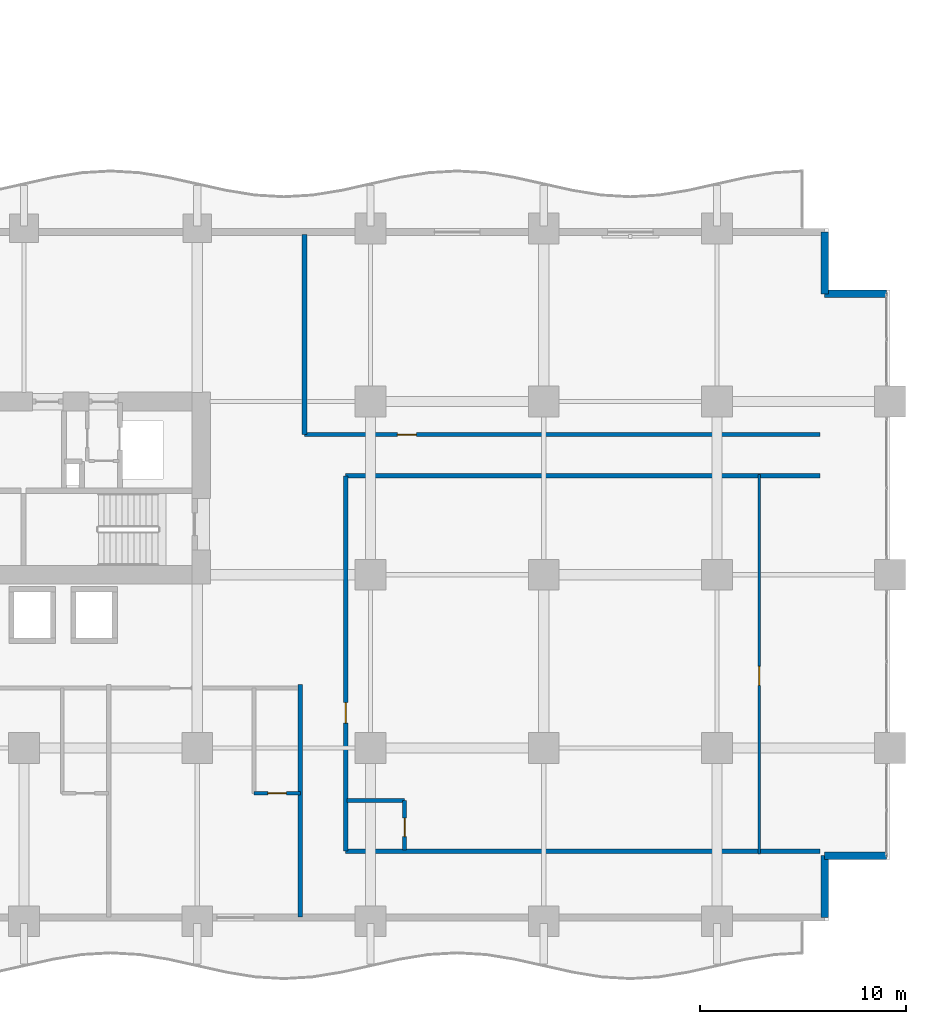
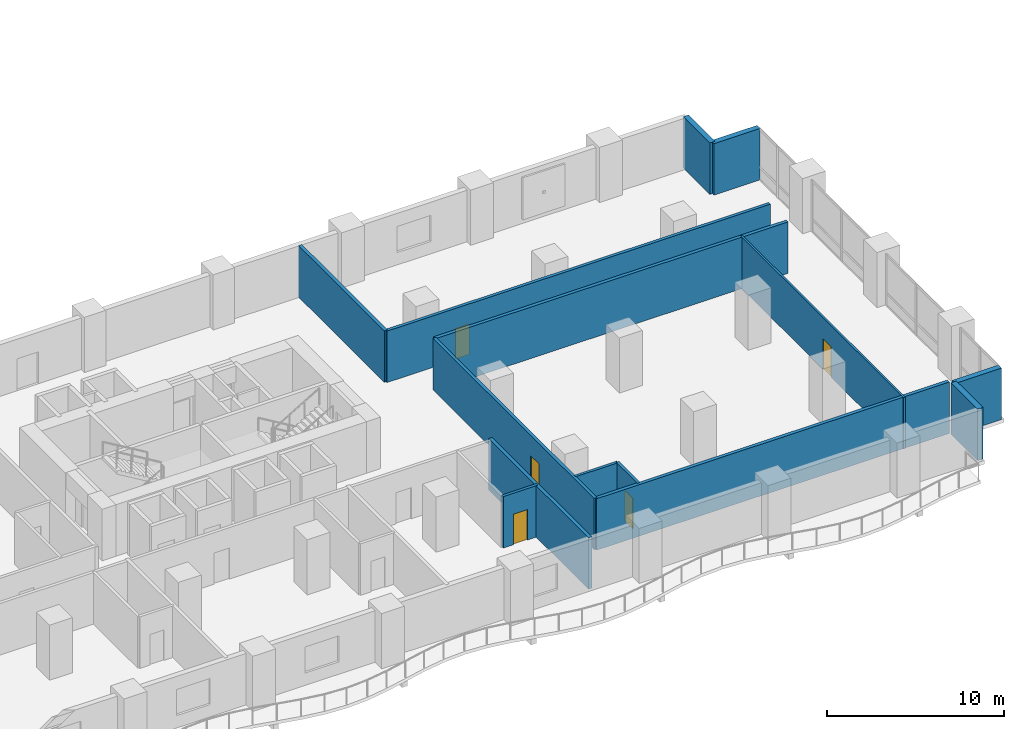
# One storey, part 18 of 27: 14 walls, 5 doors, 5 openings.
"""IFC4 building model written with IfcOpenShell, lengths in metres."""

from ifc_helpers import new_model, si_unit, direction, frame, frame_2d, origin, place, context, subcontext, project, spatial, rectangle, extrude, material, layer, layer_set, type_object, element, fill, save


model = new_model("IFC4")

# Units and contexts
model_context = context("Model", 3, precision=1e-05, world=origin(), true_north=direction((0.0, 1.0)))
body_context = subcontext(model_context, "Body", "Model", "MODEL_VIEW")
ifc_project = project(units=[si_unit("LENGTHUNIT", "METRE"), si_unit("AREAUNIT", "SQUARE_METRE"), si_unit("VOLUMEUNIT", "CUBIC_METRE"), si_unit("PLANEANGLEUNIT", "RADIAN"), si_unit("MASSUNIT", "GRAM", prefix="KILO")], contexts=[model_context])

# Site, building, storey
site_placement = place(None, origin())
site = spatial("IfcSite", under=ifc_project, at=site_placement, CompositionType="ELEMENT")
building_placement = place(site_placement, origin())
building = spatial("IfcBuilding", under=site, at=building_placement, Name="Koriwani Terraces Tower", CompositionType="ELEMENT")
storey_placement = place(building_placement, frame((0.0, 0.0, 70.0)))
storey = spatial("IfcBuildingStorey", under=building, at=storey_placement, Name="L16", CompositionType="ELEMENT", Elevation=70.0)

# Wall, opening, door
ifc_material_1 = material(Name="Autoclaved Cellular Concrete Blockwork", Category="masonry")
ifc_layer_1 = layer(ifc_material_1, 0.199951171875, Name="Autoclaved Cellular Concrete Blockwork")
ifc_layer_set_1 = layer_set([ifc_layer_1], Name="Autoclaved Cellular Concrete Blockwork")
wall_type_1 = type_object("IfcWallType", Name="WALL_CORRIDOR_200", PredefinedType="PARTITIONING", material=ifc_layer_set_1)
wall_1_placement = place(storey_placement, frame((66.0, 3.39990234375, 0.0), z_axis=(0.0, 0.0, 1.0), x_axis=(0.0, 1.0, 0.0)))
wall_1 = element("IfcWall", 1, at=wall_1_placement, inside=storey, type_object=wall_type_1, Name="L16 Interior Wall WGB-L16-ETIP-W", PredefinedType="PARTITIONING", context=body_context, shape_type="SweptSolid", body=[
    extrude(rectangle(XDim=18.2001953125, YDim=0.199951171875, at=frame_2d((9.10009765625, 0.0))), origin(), (0.0, 0.0, 1.0), 3.550048828125),
])
opening_1_placement = place(wall_1_placement, frame((6.199951171875, 0.0, 0.0)))
opening_1 = element("IfcOpeningElement", 2, at=opening_1_placement, cuts=wall_1, Name="Opening D-05", PredefinedType="OPENING", context=body_context, shape_type="SweptSolid", body=[
    extrude(rectangle(XDim=1.0, YDim=2.14990234375, at=frame_2d((0.5, 1.074951171875))), frame((0.0, 0.10986328125, 0.0), z_axis=(0.0, -1.0, 0.0), x_axis=(1.0, 0.0, 0.0)), (0.0, 0.0, 1.0), 0.219970703125),
])
ifc_material_2 = material(Name="Architectural Oak Fire Door", Category="wood")
door_type_1 = type_object("IfcDoorType", Name="DOOR_SUITE_ENTRY_1000X2150", OperationType="NOTDEFINED", PredefinedType="DOOR", material=ifc_material_2)
door_1_placement = place(opening_1_placement, origin())
door_1 = element("IfcDoor", 3, at=door_1_placement, inside=storey, type_object=door_type_1, Name="Ambassador Wing Suite 16E Entrance Door", OperationType="SINGLE_SWING_RIGHT", OverallHeight=2.14990234375, OverallWidth=1.0, PredefinedType="DOOR", context=body_context, shape_type="SweptSolid", body=[
    extrude(rectangle(XDim=1.0, YDim=2.14990234375, at=frame_2d((0.5, 1.074951171875))), frame((0.0, 0.02490234375, 0.0), z_axis=(0.0, -1.0, 0.0), x_axis=(1.0, 0.0, 0.0)), (0.0, 0.0, 1.0), 0.050048828125),
])
fill(opening_1, door_1)

wall_2_placement = place(storey_placement, frame((64.0, 23.60009765625, 0.0), z_axis=(0.0, 0.0, 1.0), x_axis=(1.0, 0.0, 0.0)))
wall_2 = element("IfcWall", 4, at=wall_2_placement, inside=storey, type_object=wall_type_1, Name="L16 Interior Wall WETIP2-S-L16", PredefinedType="PARTITIONING", context=body_context, shape_type="SweptSolid", body=[
    extrude(rectangle(XDim=25.0, YDim=0.199951171875, at=frame_2d((12.5, 0.0))), origin(), (0.0, 0.0, 1.0), 3.550048828125),
])
opening_2_placement = place(wall_2_placement, frame((4.5, 0.0, 0.0)))
opening_2 = element("IfcOpeningElement", 5, at=opening_2_placement, cuts=wall_2, Name="Opening D-06", PredefinedType="OPENING", context=body_context, shape_type="SweptSolid", body=[
    extrude(rectangle(XDim=0.919921875, YDim=2.10009765625, at=frame_2d((0.4599609375, 1.050048828125))), frame((0.0, 0.10986328125, 0.0), z_axis=(0.0, -1.0, 0.0), x_axis=(1.0, 0.0, 0.0)), (0.0, 0.0, 1.0), 0.219970703125),
])
door_type_2 = type_object("IfcDoorType", Name="DOOR_ROOM_INT_920X2100", OperationType="NOTDEFINED", PredefinedType="DOOR", material=ifc_material_2)
door_2_placement = place(opening_2_placement, origin())
door_2 = element("IfcDoor", 6, at=door_2_placement, inside=storey, type_object=door_type_2, Name="L16 East Panorama Salon Door", OperationType="SINGLE_SWING_LEFT", OverallHeight=2.10009765625, OverallWidth=0.919921875, PredefinedType="DOOR", context=body_context, shape_type="SweptSolid", body=[
    extrude(rectangle(XDim=0.919921875, YDim=2.10009765625, at=frame_2d((0.4599609375, 1.050048828125))), frame((0.0, 0.02490234375, 0.0), z_axis=(0.0, -1.0, 0.0), x_axis=(1.0, 0.0, 0.0)), (0.0, 0.0, 1.0), 0.050048828125),
])
fill(opening_2, door_2)

# Walls
ifc_layer_2 = layer(ifc_material_1, 0.219970703125, Name="Autoclaved Cellular Concrete Blockwork")
ifc_layer_set_2 = layer_set([ifc_layer_2], Name="Autoclaved Cellular Concrete Blockwork")
wall_type_2 = type_object("IfcWallType", Name="WALL_DEMISING_220", PredefinedType="PARTITIONING", material=ifc_layer_set_2)
wall_3_placement = place(storey_placement, frame((63.800048828125, 0.199951171875, 0.0), z_axis=(0.0, 0.0, 1.0), x_axis=(0.0, 1.0, 0.0)))
element("IfcWall", 7, at=wall_3_placement, inside=storey, type_object=wall_type_2, Name="L16 Interior Wall WDEME-L16-SW", PredefinedType="PARTITIONING", context=body_context, shape_type="SweptSolid", body=[
    extrude(rectangle(XDim=11.280029296875, YDim=0.219970703125, at=frame_2d((5.64013671875, 0.0))), origin(), (0.0, 0.0, 1.0), 3.550048828125),
])
for number, where, z_axis, x_axis, name in (
    (8, (66.0, 3.39990234375, 0.0), (0.0, 0.0, 1.0), (1.0, 0.0, 0.0), "L16 Interior Wall WGB-L16-ETIP-S"),
    (9, (66.0, 21.60009765625, 0.0), (0.0, 0.0, 1.0), (1.0, 0.0, 0.0), "L16 Interior Wall WGB-L16-ETIP-N"),
):
    element("IfcWall", number, at=place(storey_placement, frame(where, z_axis=z_axis, x_axis=x_axis)), inside=storey, type_object=wall_type_2, Name=name, PredefinedType="PARTITIONING", context=body_context, shape_type="SweptSolid", body=[
        extrude(rectangle(XDim=23.0, YDim=0.219970703125, at=frame_2d((11.5, 0.0))), origin(), (0.0, 0.0, 1.0), 3.550048828125),
    ])
wall_4_placement = place(storey_placement, frame((64.0, 23.60009765625, 0.0), z_axis=(0.0, 0.0, 1.0), x_axis=(0.0, 1.0, 0.0)))
element("IfcWall", 10, at=wall_4_placement, inside=storey, type_object=wall_type_2, Name="L16 Interior Wall WETIP2-W-L16", PredefinedType="PARTITIONING", context=body_context, shape_type="SweptSolid", body=[
    extrude(rectangle(XDim=9.699951171875, YDim=0.219970703125, at=frame_2d((4.85009765625, 0.0))), origin(), (0.0, 0.0, 1.0), 3.550048828125),
])
ifc_material_3 = material(Name="Concrete C50/60", Category="concrete")
ifc_layer_3 = layer(ifc_material_3, 0.35009765625, Name="Concrete C50/60")
ifc_layer_set_3 = layer_set([ifc_layer_3], Name="Concrete C50/60")
wall_type_3 = type_object("IfcWallType", Name="WALL_EXT_BRUTALIST_350", PredefinedType="STANDARD", material=ifc_layer_set_3)
for number, where, z_axis, x_axis, name in (
    (11, (89.22509765625, 33.425048828125, 0.0), (0.0, 0.0, 1.0), (0.0, -1.0, 0.0), "L16 Fair-Faced Brutalist Exterior Wall (N10)"),
    (12, (89.22509765625, 30.425048828125, 0.0), (0.0, 0.0, 1.0), (1.0, 0.0, 0.0), "L16 Fair-Faced Brutalist Exterior Wall (N11)"),
    (13, (92.22509765625, 3.175048828125, 0.0), (0.0, 0.0, 1.0), (-1.0, 0.0, 0.0), "L16 Fair-Faced Brutalist Exterior Wall (N13)"),
    (14, (89.22509765625, 3.175048828125, 0.0), (0.0, 0.0, 1.0), (0.0, -1.0, 0.0), "L16 Fair-Faced Brutalist Exterior Wall (N14)"),
):
    element("IfcWall", number, at=place(storey_placement, frame(where, z_axis=z_axis, x_axis=x_axis)), inside=storey, type_object=wall_type_3, Name=name, PredefinedType="STANDARD", context=body_context, shape_type="SweptSolid", body=[
        extrude(rectangle(XDim=3.0, YDim=0.35009765625, at=frame_2d((1.5, 0.0))), origin(), (0.0, 0.0, 1.0), 3.550048828125),
    ])

# Wall, opening, door
ifc_material_4 = material(Name="Fire-Rated Acoustic Gypsum Partition", Category="masonry")
ifc_layer_4 = layer(ifc_material_4, 0.125, Name="Fire-Rated Acoustic Gypsum Partition")
ifc_layer_set_4 = layer_set([ifc_layer_4], Name="Fire-Rated Acoustic Gypsum Partition")
wall_type_4 = type_object("IfcWallType", Name="WALL_INT_125", PredefinedType="PARTITIONING", material=ifc_layer_set_4)
wall_5_placement = place(storey_placement, frame((86.050048828125, 3.25, 0.0), z_axis=(0.0, 0.0, 1.0), x_axis=(0.0, 1.0, 0.0)))
wall_5 = element("IfcWall", 15, at=wall_5_placement, inside=storey, type_object=wall_type_4, Name="L16 Interior Wall WGB-L16-ETIP-BD", PredefinedType="PARTITIONING", context=body_context, shape_type="SweptSolid", body=[
    extrude(rectangle(XDim=18.39990234375, YDim=0.125, at=frame_2d((9.199951171875, 0.0))), origin(), (0.0, 0.0, 1.0), 3.550048828125),
])
opening_3_placement = place(wall_5_placement, frame((8.18994140625, 0.0, 0.0)))
opening_3 = element("IfcOpeningElement", 16, at=opening_3_placement, cuts=wall_5, Name="Opening D-06", PredefinedType="OPENING", context=body_context, shape_type="SweptSolid", body=[
    extrude(rectangle(XDim=0.919921875, YDim=2.10009765625, at=frame_2d((0.4599609375, 1.050048828125))), frame((0.0, 0.072509765625, 0.0), z_axis=(0.0, -1.0, 0.0), x_axis=(1.0, 0.0, 0.0)), (0.0, 0.0, 1.0), 0.14501953125),
])
door_3_placement = place(opening_3_placement, origin())
door_3 = element("IfcDoor", 17, at=door_3_placement, inside=storey, type_object=door_type_2, Name="Ambassador Wing Suite 16E Master Suite Door", OperationType="SINGLE_SWING_RIGHT", OverallHeight=2.10009765625, OverallWidth=0.919921875, PredefinedType="DOOR", context=body_context, shape_type="SweptSolid", body=[
    extrude(rectangle(XDim=0.919921875, YDim=2.10009765625, at=frame_2d((0.4599609375, 1.050048828125))), frame((0.0, 0.02490234375, 0.0), z_axis=(0.0, -1.0, 0.0), x_axis=(1.0, 0.0, 0.0)), (0.0, 0.0, 1.0), 0.050048828125),
])
fill(opening_3, door_3)

ifc_layer_5 = layer(ifc_material_4, 0.179931640625, Name="Fire-Rated Acoustic Gypsum Partition")
ifc_layer_set_5 = layer_set([ifc_layer_5], Name="Fire-Rated Acoustic Gypsum Partition")
wall_type_5 = type_object("IfcWallType", Name="WALL_PLUMBING_180", PredefinedType="PLUMBINGWALL", material=ifc_layer_set_5)
wall_6_placement = place(storey_placement, frame((61.550048828125, 6.199951171875, 0.0), z_axis=(0.0, 0.0, 1.0), x_axis=(1.0, 0.0, 0.0)))
wall_6 = element("IfcWall", 18, at=wall_6_placement, inside=storey, type_object=wall_type_5, Name="L16 Interior Wall WBTH1-L16-SW-3", PredefinedType="PLUMBINGWALL", context=body_context, shape_type="SweptSolid", body=[
    extrude(rectangle(XDim=2.25, YDim=0.179931640625, at=frame_2d((1.125, 0.0))), origin(), (0.0, 0.0, 1.0), 3.550048828125),
])
opening_4_placement = place(wall_6_placement, frame((0.675048828125, 0.0, 0.0)))
opening_4 = element("IfcOpeningElement", 19, at=opening_4_placement, cuts=wall_6, Name="Opening D-07", PredefinedType="OPENING", context=body_context, shape_type="SweptSolid", body=[
    extrude(rectangle(XDim=0.89990234375, YDim=2.10009765625, at=frame_2d((0.449951171875, 1.050048828125))), frame((0.0, 0.10009765625, 0.0), z_axis=(0.0, -1.0, 0.0), x_axis=(1.0, 0.0, 0.0)), (0.0, 0.0, 1.0), 0.199951171875),
])
door_type_3 = type_object("IfcDoorType", Name="DOOR_BATH_INT_900X2100", OperationType="NOTDEFINED", PredefinedType="DOOR", material=ifc_material_2)
door_4_placement = place(opening_4_placement, origin())
door_4 = element("IfcDoor", 20, at=door_4_placement, inside=storey, type_object=door_type_3, Name="En-Suite Bathroom 16SW4 Door", OperationType="SINGLE_SWING_LEFT", OverallHeight=2.10009765625, OverallWidth=0.89990234375, PredefinedType="DOOR", context=body_context, shape_type="SweptSolid", body=[
    extrude(rectangle(XDim=0.89990234375, YDim=2.10009765625, at=frame_2d((0.449951171875, 1.050048828125))), frame((0.0, 0.02490234375, 0.0), z_axis=(0.0, -1.0, 0.0), x_axis=(1.0, 0.0, 0.0)), (0.0, 0.0, 1.0), 0.050048828125),
])
fill(opening_4, door_4)

wall_7_placement = place(storey_placement, frame((68.85009765625, 3.449951171875, 0.0), z_axis=(0.0, 0.0, 1.0), x_axis=(0.0, 1.0, 0.0)))
wall_7 = element("IfcWall", 21, at=wall_7_placement, inside=storey, type_object=wall_type_5, Name="L16 Interior Wall WGB-L16-ETIP-SVB", PredefinedType="PLUMBINGWALL", context=body_context, shape_type="SweptSolid", body=[
    extrude(rectangle(XDim=2.400146484375, YDim=0.179931640625, at=frame_2d((1.2001953125, 0.0))), origin(), (0.0, 0.0, 1.0), 3.550048828125),
])
opening_5_placement = place(wall_7_placement, frame((0.64990234375, 0.0, 0.0)))
opening_5 = element("IfcOpeningElement", 22, at=opening_5_placement, cuts=wall_7, Name="Opening D-07", PredefinedType="OPENING", context=body_context, shape_type="SweptSolid", body=[
    extrude(rectangle(XDim=0.89990234375, YDim=2.10009765625, at=frame_2d((0.449951171875, 1.050048828125))), frame((0.0, 0.10009765625, 0.0), z_axis=(0.0, -1.0, 0.0), x_axis=(1.0, 0.0, 0.0)), (0.0, 0.0, 1.0), 0.199951171875),
])
door_5_placement = place(opening_5_placement, origin())
door_5 = element("IfcDoor", 23, at=door_5_placement, inside=storey, type_object=door_type_3, Name="Ambassador Wing Suite 16E Bathroom Door", OperationType="SINGLE_SWING_LEFT", OverallHeight=2.10009765625, OverallWidth=0.89990234375, PredefinedType="DOOR", context=body_context, shape_type="SweptSolid", body=[
    extrude(rectangle(XDim=0.89990234375, YDim=2.10009765625, at=frame_2d((0.449951171875, 1.050048828125))), frame((0.0, 0.02490234375, 0.0), z_axis=(0.0, -1.0, 0.0), x_axis=(1.0, 0.0, 0.0)), (0.0, 0.0, 1.0), 0.050048828125),
])
fill(opening_5, door_5)

# Wall
wall_8_placement = place(storey_placement, frame((66.050048828125, 5.85009765625, 0.0), z_axis=(0.0, 0.0, 1.0), x_axis=(1.0, 0.0, 0.0)))
element("IfcWall", 24, at=wall_8_placement, inside=storey, type_object=wall_type_5, Name="L16 Interior Wall WGB-L16-ETIP-SV2", PredefinedType="PLUMBINGWALL", context=body_context, shape_type="SweptSolid", body=[
    extrude(rectangle(XDim=2.800048828125, YDim=0.179931640625, at=frame_2d((1.39990234375, 0.0))), origin(), (0.0, 0.0, 1.0), 3.550048828125),
])

save(model, "model.ifc")
